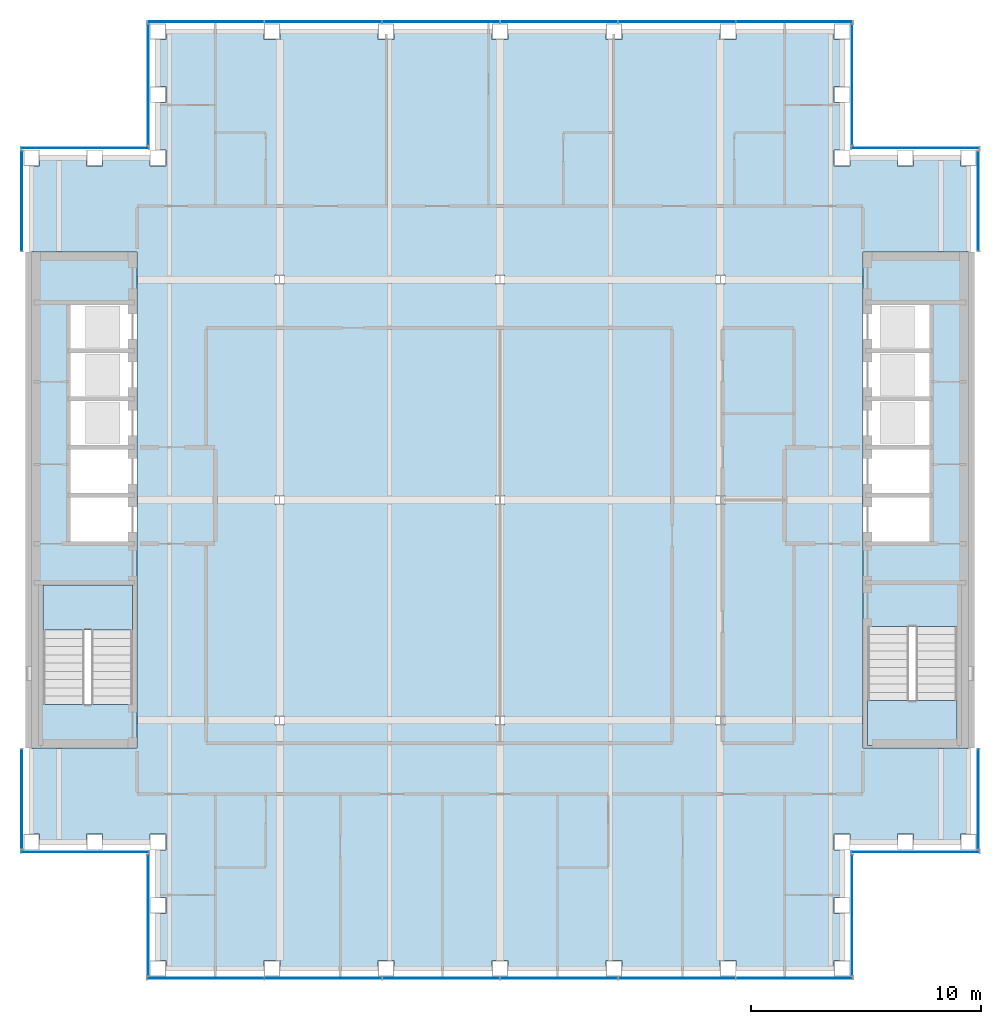
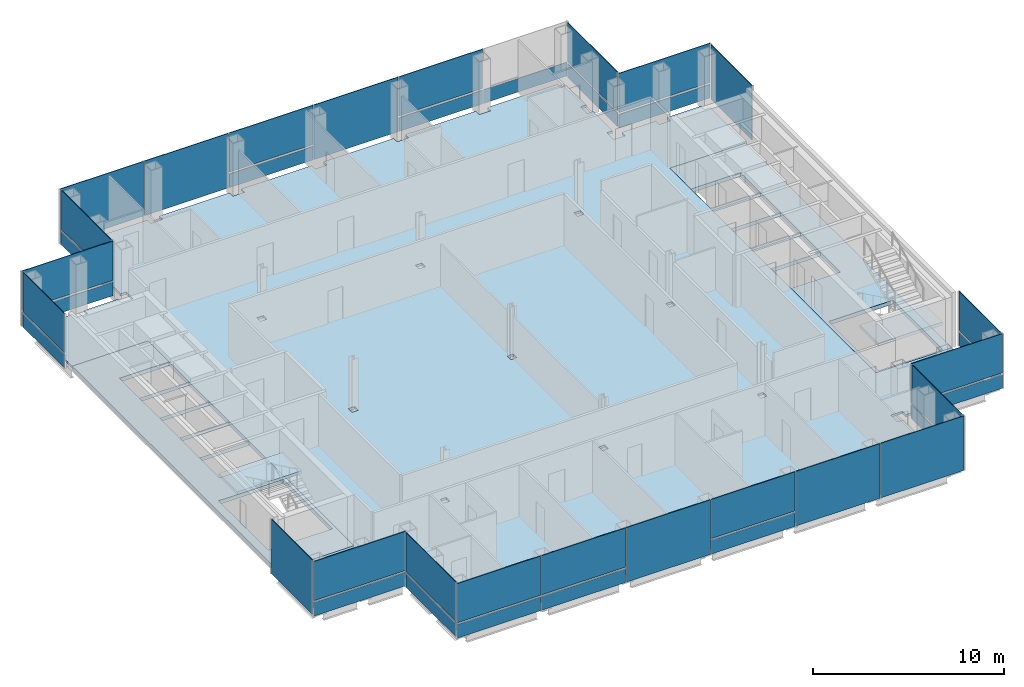
# One storey, part 9 of 15: 39 plates, 5 slabs, 16 elements without a shape of their own.
"""IFC4 building model written with IfcOpenShell, lengths in metres."""

from ifc_helpers import new_model, si_unit, direction, frame, origin, origin_2d, place, context, subcontext, project, spatial, polyline, rectangle, outline, extrude, material, layer, layer_set, type_object, element, aggregate, save


model = new_model("IFC4")

# Units and contexts
model_context = context("Model", 3, precision=1e-05, world=origin(), true_north=direction((0.0, 1.0)))
body_context = subcontext(model_context, "Body", "Model", "MODEL_VIEW")
ifc_project = project(units=[si_unit("LENGTHUNIT", "METRE"), si_unit("AREAUNIT", "SQUARE_METRE"), si_unit("VOLUMEUNIT", "CUBIC_METRE"), si_unit("PLANEANGLEUNIT", "RADIAN"), si_unit("MASSUNIT", "GRAM", prefix="KILO")], contexts=[model_context])

# Site, building, storey
site_placement = place(None, origin())
site = spatial("IfcSite", under=ifc_project, at=site_placement, CompositionType="ELEMENT")
building_placement = place(site_placement, origin())
building = spatial("IfcBuilding", under=site, at=building_placement, Name="Cobrizo Arcos Hotel Tower", CompositionType="ELEMENT")
storey_placement = place(building_placement, frame((0.0, 0.0, 194.5)))
storey = spatial("IfcBuildingStorey", under=building, at=storey_placement, Name="L50", CompositionType="ELEMENT", Elevation=194.5)

# Curtain wall, plates
ifc_material_1 = material(Name="Aluminium 6063-T6 anodised bronze", Category="aluminium")
curtain_wall_type = type_object("IfcCurtainWallType", Name="CW-A guest facade", PredefinedType="NOTDEFINED", material=ifc_material_1)
curtain_wall_1_placement = place(storey_placement, origin())
curtain_wall_1 = element("IfcCurtainWall", 1, at=curtain_wall_1_placement, inside=storey, type_object=curtain_wall_type, Name="CW-A L50 S face", PredefinedType="NOTDEFINED")
ifc_material_2 = material(Name="Glass clear laminated low-e", Category="glass")
ifc_layer_1 = layer(ifc_material_2, 0.0400390625)
ifc_layer_set_1 = layer_set([ifc_layer_1], Name="CW-A glass panel")
plate_type_1 = type_object("IfcPlateType", Name="CW-A glass panel", PredefinedType="CURTAIN_PANEL", material=ifc_layer_set_1)
plate_1_placement = place(storey_placement, frame((-12.818359375, -20.824951171875, 0.990234375), z_axis=(0.0, 0.0, 1.0), x_axis=(1.0, 0.0, 0.0)))
plate_1 = element("IfcPlate", 2, at=plate_1_placement, type_object=plate_type_1, Name="CW-A glass panel 1720", PredefinedType="CURTAIN_PANEL", context=body_context, shape_type="SweptSolid", body=[
    extrude(rectangle(XDim=5.043212890625, YDim=0.0400390625, at=origin_2d()), origin(), (0.0, 0.0, 1.0), 2.510009765625),
])
plate_2_placement = place(storey_placement, frame((-7.699951171875, -20.824951171875, 0.990234375), z_axis=(0.0, 0.0, 1.0), x_axis=(1.0, 0.0, 0.0)))
plate_2 = element("IfcPlate", 3, at=plate_2_placement, type_object=plate_type_1, Name="CW-A glass panel 1721", PredefinedType="CURTAIN_PANEL", context=body_context, shape_type="SweptSolid", body=[
    extrude(rectangle(XDim=5.0732421875, YDim=0.0400390625, at=origin_2d()), origin(), (0.0, 0.0, 1.0), 2.510009765625),
])
plate_3_placement = place(storey_placement, frame((2.566650390625, -20.824951171875, 0.990234375), z_axis=(0.0, 0.0, 1.0), x_axis=(1.0, 0.0, 0.0)))
plate_3 = element("IfcPlate", 4, at=plate_3_placement, type_object=plate_type_1, Name="CW-A glass panel 1723", PredefinedType="CURTAIN_PANEL", context=body_context, shape_type="SweptSolid", body=[
    extrude(rectangle(XDim=5.0732421875, YDim=0.0400390625, at=origin_2d()), origin(), (0.0, 0.0, 1.0), 2.510009765625),
])

# Curtain wall, plate
curtain_wall_2_placement = place(storey_placement, origin())
curtain_wall_2 = element("IfcCurtainWall", 5, at=curtain_wall_2_placement, inside=storey, type_object=curtain_wall_type, Name="CW-A L50 E face", PredefinedType="NOTDEFINED")
plate_4_placement = place(storey_placement, frame((15.324951171875, -18.074951171875, 0.990234375), z_axis=(0.0, 0.0, 1.0), x_axis=(0.0, 1.0, 0.0)))
plate_4 = element("IfcPlate", 6, at=plate_4_placement, type_object=plate_type_1, Name="CW-A glass panel 1726", PredefinedType="CURTAIN_PANEL", context=body_context, shape_type="SweptSolid", body=[
    extrude(rectangle(XDim=5.22998046875, YDim=0.0400390625, at=origin_2d()), origin(), (0.0, 0.0, 1.0), 2.510009765625),
])

curtain_wall_3_placement = place(storey_placement, origin())
curtain_wall_3 = element("IfcCurtainWall", 7, at=curtain_wall_3_placement, inside=storey, type_object=curtain_wall_type, Name="CW-A L50 S face", PredefinedType="NOTDEFINED")
plate_5_placement = place(storey_placement, frame((18.074951171875, -15.324951171875, 0.990234375), z_axis=(0.0, 0.0, 1.0), x_axis=(1.0, 0.0, 0.0)))
plate_5 = element("IfcPlate", 8, at=plate_5_placement, type_object=plate_type_1, Name="CW-A glass panel 1727", PredefinedType="CURTAIN_PANEL", context=body_context, shape_type="SweptSolid", body=[
    extrude(rectangle(XDim=5.530029296875, YDim=0.0400390625, at=origin_2d()), origin(), (0.0, 0.0, 1.0), 2.510009765625),
])

curtain_wall_4_placement = place(storey_placement, origin())
curtain_wall_4 = element("IfcCurtainWall", 9, at=curtain_wall_4_placement, inside=storey, type_object=curtain_wall_type, Name="CW-A L50 E face", PredefinedType="NOTDEFINED")
plate_6_placement = place(storey_placement, frame((20.824951171875, -13.02490234375, 0.990234375), z_axis=(0.0, 0.0, 1.0), x_axis=(0.0, 1.0, 0.0)))
plate_6 = element("IfcPlate", 10, at=plate_6_placement, type_object=plate_type_1, Name="CW-A glass panel 1728", PredefinedType="CURTAIN_PANEL", context=body_context, shape_type="SweptSolid", body=[
    extrude(rectangle(XDim=4.330078125, YDim=0.0400390625, at=origin_2d()), origin(), (0.0, 0.0, 1.0), 2.510009765625),
])

curtain_wall_5_placement = place(storey_placement, origin())
curtain_wall_5 = element("IfcCurtainWall", 11, at=curtain_wall_5_placement, inside=storey, type_object=curtain_wall_type, Name="CW-A L50 N face", PredefinedType="NOTDEFINED")
plate_7_placement = place(storey_placement, frame((18.074951171875, 15.324951171875, 0.990234375), z_axis=(0.0, 0.0, 1.0), x_axis=(-1.0, 0.0, 0.0)))
plate_7 = element("IfcPlate", 12, at=plate_7_placement, type_object=plate_type_1, Name="CW-A glass panel 1730", PredefinedType="CURTAIN_PANEL", context=body_context, shape_type="SweptSolid", body=[
    extrude(rectangle(XDim=5.530029296875, YDim=0.0400390625, at=origin_2d()), origin(), (0.0, 0.0, 1.0), 2.510009765625),
])

curtain_wall_6_placement = place(storey_placement, origin())
curtain_wall_6 = element("IfcCurtainWall", 13, at=curtain_wall_6_placement, inside=storey, type_object=curtain_wall_type, Name="CW-A L50 E face", PredefinedType="NOTDEFINED")
plate_8_placement = place(storey_placement, frame((15.324951171875, 18.074951171875, 0.990234375), z_axis=(0.0, 0.0, 1.0), x_axis=(0.0, 1.0, 0.0)))
plate_8 = element("IfcPlate", 14, at=plate_8_placement, type_object=plate_type_1, Name="CW-A glass panel 1731", PredefinedType="CURTAIN_PANEL", context=body_context, shape_type="SweptSolid", body=[
    extrude(rectangle(XDim=5.22998046875, YDim=0.0400390625, at=origin_2d()), origin(), (0.0, 0.0, 1.0), 2.510009765625),
])

# Curtain wall, plates
curtain_wall_7_placement = place(storey_placement, origin())
curtain_wall_7 = element("IfcCurtainWall", 15, at=curtain_wall_7_placement, inside=storey, type_object=curtain_wall_type, Name="CW-A L50 N face", PredefinedType="NOTDEFINED")
plate_9_placement = place(storey_placement, frame((7.699951171875, 20.824951171875, 0.990234375), z_axis=(0.0, 0.0, 1.0), x_axis=(-1.0, 0.0, 0.0)))
plate_9 = element("IfcPlate", 16, at=plate_9_placement, type_object=plate_type_1, Name="CW-A glass panel 1733", PredefinedType="CURTAIN_PANEL", context=body_context, shape_type="SweptSolid", body=[
    extrude(rectangle(XDim=5.0732421875, YDim=0.0400390625, at=origin_2d()), origin(), (0.0, 0.0, 1.0), 2.510009765625),
])
plate_10_placement = place(storey_placement, frame((-2.566650390625, 20.824951171875, 0.990234375), z_axis=(0.0, 0.0, 1.0), x_axis=(-1.0, 0.0, 0.0)))
plate_10 = element("IfcPlate", 17, at=plate_10_placement, type_object=plate_type_1, Name="CW-A glass panel 1735", PredefinedType="CURTAIN_PANEL", context=body_context, shape_type="SweptSolid", body=[
    extrude(rectangle(XDim=5.0732421875, YDim=0.0400390625, at=origin_2d()), origin(), (0.0, 0.0, 1.0), 2.510009765625),
])

# Curtain wall, plate
curtain_wall_8_placement = place(storey_placement, origin())
curtain_wall_8 = element("IfcCurtainWall", 18, at=curtain_wall_8_placement, inside=storey, type_object=curtain_wall_type, Name="CW-A L50 W face", PredefinedType="NOTDEFINED")
plate_11_placement = place(storey_placement, frame((-15.324951171875, 18.074951171875, 0.990234375), z_axis=(0.0, 0.0, 1.0), x_axis=(0.0, -1.0, 0.0)))
plate_11 = element("IfcPlate", 19, at=plate_11_placement, type_object=plate_type_1, Name="CW-A glass panel 1738", PredefinedType="CURTAIN_PANEL", context=body_context, shape_type="SweptSolid", body=[
    extrude(rectangle(XDim=5.22998046875, YDim=0.0400390625, at=origin_2d()), origin(), (0.0, 0.0, 1.0), 2.510009765625),
])

curtain_wall_9_placement = place(storey_placement, origin())
curtain_wall_9 = element("IfcCurtainWall", 20, at=curtain_wall_9_placement, inside=storey, type_object=curtain_wall_type, Name="CW-A L50 N face", PredefinedType="NOTDEFINED")
plate_12_placement = place(storey_placement, frame((-18.074951171875, 15.324951171875, 0.990234375), z_axis=(0.0, 0.0, 1.0), x_axis=(-1.0, 0.0, 0.0)))
plate_12 = element("IfcPlate", 21, at=plate_12_placement, type_object=plate_type_1, Name="CW-A glass panel 1739", PredefinedType="CURTAIN_PANEL", context=body_context, shape_type="SweptSolid", body=[
    extrude(rectangle(XDim=5.530029296875, YDim=0.0400390625, at=origin_2d()), origin(), (0.0, 0.0, 1.0), 2.510009765625),
])

curtain_wall_10_placement = place(storey_placement, origin())
curtain_wall_10 = element("IfcCurtainWall", 22, at=curtain_wall_10_placement, inside=storey, type_object=curtain_wall_type, Name="CW-A L50 W face", PredefinedType="NOTDEFINED")
plate_13_placement = place(storey_placement, frame((-20.824951171875, 13.02490234375, 0.990234375), z_axis=(0.0, 0.0, 1.0), x_axis=(0.0, -1.0, 0.0)))
plate_13 = element("IfcPlate", 23, at=plate_13_placement, type_object=plate_type_1, Name="CW-A glass panel 1740", PredefinedType="CURTAIN_PANEL", context=body_context, shape_type="SweptSolid", body=[
    extrude(rectangle(XDim=4.330078125, YDim=0.0400390625, at=origin_2d()), origin(), (0.0, 0.0, 1.0), 2.510009765625),
])

curtain_wall_11_placement = place(storey_placement, origin())
curtain_wall_11 = element("IfcCurtainWall", 24, at=curtain_wall_11_placement, inside=storey, type_object=curtain_wall_type, Name="CW-A L50 S face", PredefinedType="NOTDEFINED")
plate_14_placement = place(storey_placement, frame((-18.074951171875, -15.324951171875, 0.990234375), z_axis=(0.0, 0.0, 1.0), x_axis=(1.0, 0.0, 0.0)))
plate_14 = element("IfcPlate", 25, at=plate_14_placement, type_object=plate_type_1, Name="CW-A glass panel 1742", PredefinedType="CURTAIN_PANEL", context=body_context, shape_type="SweptSolid", body=[
    extrude(rectangle(XDim=5.530029296875, YDim=0.0400390625, at=origin_2d()), origin(), (0.0, 0.0, 1.0), 2.510009765625),
])

curtain_wall_12_placement = place(storey_placement, origin())
curtain_wall_12 = element("IfcCurtainWall", 26, at=curtain_wall_12_placement, inside=storey, type_object=curtain_wall_type, Name="CW-A L50 W face", PredefinedType="NOTDEFINED")
plate_15_placement = place(storey_placement, frame((-15.324951171875, -18.074951171875, 0.990234375), z_axis=(0.0, 0.0, 1.0), x_axis=(0.0, -1.0, 0.0)))
plate_15 = element("IfcPlate", 27, at=plate_15_placement, type_object=plate_type_1, Name="CW-A glass panel 1743", PredefinedType="CURTAIN_PANEL", context=body_context, shape_type="SweptSolid", body=[
    extrude(rectangle(XDim=5.22998046875, YDim=0.0400390625, at=origin_2d()), origin(), (0.0, 0.0, 1.0), 2.510009765625),
])

# Plate
ifc_material_3 = material(Name="Aluminium composite panel pale metal", Category="aluminium")
ifc_layer_2 = layer(ifc_material_3, 0.0400390625)
ifc_layer_set_2 = layer_set([ifc_layer_2], Name="CW-A spandrel panel")
plate_type_2 = type_object("IfcPlateType", Name="CW-A spandrel panel", PredefinedType="CURTAIN_PANEL", material=ifc_layer_set_2)
plate_16_placement = place(storey_placement, frame((-12.818359375, -20.824951171875, 0.0), z_axis=(0.0, 0.0, 1.0), x_axis=(1.0, 0.0, 0.0)))
plate_16 = element("IfcPlate", 28, at=plate_16_placement, type_object=plate_type_2, Name="CW-A spandrel panel 1720", PredefinedType="CURTAIN_PANEL", context=body_context, shape_type="SweptSolid", body=[
    extrude(rectangle(XDim=5.043212890625, YDim=0.0400390625, at=origin_2d()), origin(), (0.0, 0.0, 1.0), 0.8701171875),
])

plate_17_placement = place(storey_placement, frame((-7.699951171875, -20.824951171875, 0.0), z_axis=(0.0, 0.0, 1.0), x_axis=(1.0, 0.0, 0.0)))
plate_17 = element("IfcPlate", 29, at=plate_17_placement, type_object=plate_type_2, Name="CW-A spandrel panel 1721", PredefinedType="CURTAIN_PANEL", context=body_context, shape_type="SweptSolid", body=[
    extrude(rectangle(XDim=5.0732421875, YDim=0.0400390625, at=origin_2d()), origin(), (0.0, 0.0, 1.0), 0.8701171875),
])

plate_18_placement = place(storey_placement, frame((-2.566650390625, -20.824951171875, 0.0), z_axis=(0.0, 0.0, 1.0), x_axis=(1.0, 0.0, 0.0)))
plate_18 = element("IfcPlate", 30, at=plate_18_placement, type_object=plate_type_2, Name="CW-A spandrel panel 1722", PredefinedType="CURTAIN_PANEL", context=body_context, shape_type="SweptSolid", body=[
    extrude(rectangle(XDim=5.0732421875, YDim=0.0400390625, at=origin_2d()), origin(), (0.0, 0.0, 1.0), 3.5),
])

plate_19_placement = place(storey_placement, frame((2.566650390625, -20.824951171875, 0.0), z_axis=(0.0, 0.0, 1.0), x_axis=(1.0, 0.0, 0.0)))
plate_19 = element("IfcPlate", 31, at=plate_19_placement, type_object=plate_type_2, Name="CW-A spandrel panel 1723", PredefinedType="CURTAIN_PANEL", context=body_context, shape_type="SweptSolid", body=[
    extrude(rectangle(XDim=5.0732421875, YDim=0.0400390625, at=origin_2d()), origin(), (0.0, 0.0, 1.0), 0.8701171875),
])

plate_20_placement = place(storey_placement, frame((7.699951171875, -20.824951171875, 0.0), z_axis=(0.0, 0.0, 1.0), x_axis=(1.0, 0.0, 0.0)))
plate_20 = element("IfcPlate", 32, at=plate_20_placement, type_object=plate_type_2, Name="CW-A spandrel panel 1724", PredefinedType="CURTAIN_PANEL", context=body_context, shape_type="SweptSolid", body=[
    extrude(rectangle(XDim=5.0732421875, YDim=0.0400390625, at=origin_2d()), origin(), (0.0, 0.0, 1.0), 3.5),
])

plate_21_placement = place(storey_placement, frame((12.818359375, -20.824951171875, 0.0), z_axis=(0.0, 0.0, 1.0), x_axis=(1.0, 0.0, 0.0)))
plate_21 = element("IfcPlate", 33, at=plate_21_placement, type_object=plate_type_2, Name="CW-A spandrel panel 1725", PredefinedType="CURTAIN_PANEL", context=body_context, shape_type="SweptSolid", body=[
    extrude(rectangle(XDim=5.043212890625, YDim=0.0400390625, at=origin_2d()), origin(), (0.0, 0.0, 1.0), 3.5),
])

aggregate(curtain_wall_1, [plate_16, plate_1, plate_17, plate_2, plate_18, plate_19, plate_3, plate_20, plate_21])

plate_22_placement = place(storey_placement, frame((15.324951171875, -18.074951171875, 0.0), z_axis=(0.0, 0.0, 1.0), x_axis=(0.0, 1.0, 0.0)))
plate_22 = element("IfcPlate", 34, at=plate_22_placement, type_object=plate_type_2, Name="CW-A spandrel panel 1726", PredefinedType="CURTAIN_PANEL", context=body_context, shape_type="SweptSolid", body=[
    extrude(rectangle(XDim=5.22998046875, YDim=0.0400390625, at=origin_2d()), origin(), (0.0, 0.0, 1.0), 0.8701171875),
])

aggregate(curtain_wall_2, [plate_22, plate_4])

plate_23_placement = place(storey_placement, frame((18.074951171875, -15.324951171875, 0.0), z_axis=(0.0, 0.0, 1.0), x_axis=(1.0, 0.0, 0.0)))
plate_23 = element("IfcPlate", 35, at=plate_23_placement, type_object=plate_type_2, Name="CW-A spandrel panel 1727", PredefinedType="CURTAIN_PANEL", context=body_context, shape_type="SweptSolid", body=[
    extrude(rectangle(XDim=5.530029296875, YDim=0.0400390625, at=origin_2d()), origin(), (0.0, 0.0, 1.0), 0.8701171875),
])

aggregate(curtain_wall_3, [plate_23, plate_5])

plate_24_placement = place(storey_placement, frame((20.824951171875, -13.02490234375, 0.0), z_axis=(0.0, 0.0, 1.0), x_axis=(0.0, 1.0, 0.0)))
plate_24 = element("IfcPlate", 36, at=plate_24_placement, type_object=plate_type_2, Name="CW-A spandrel panel 1728", PredefinedType="CURTAIN_PANEL", context=body_context, shape_type="SweptSolid", body=[
    extrude(rectangle(XDim=4.330078125, YDim=0.0400390625, at=origin_2d()), origin(), (0.0, 0.0, 1.0), 0.8701171875),
])

aggregate(curtain_wall_4, [plate_24, plate_6])

# Curtain wall, plate
curtain_wall_13_placement = place(storey_placement, origin())
curtain_wall_13 = element("IfcCurtainWall", 37, at=curtain_wall_13_placement, inside=storey, type_object=curtain_wall_type, Name="CW-A L50 E face", PredefinedType="NOTDEFINED")
plate_25_placement = place(storey_placement, frame((20.824951171875, 13.02490234375, 0.0), z_axis=(0.0, 0.0, 1.0), x_axis=(0.0, 1.0, 0.0)))
plate_25 = element("IfcPlate", 38, at=plate_25_placement, type_object=plate_type_2, Name="CW-A spandrel panel 1729", PredefinedType="CURTAIN_PANEL", context=body_context, shape_type="SweptSolid", body=[
    extrude(rectangle(XDim=4.330078125, YDim=0.0400390625, at=origin_2d()), origin(), (0.0, 0.0, 1.0), 3.5),
])
aggregate(curtain_wall_13, [plate_25])

# Plate
plate_26_placement = place(storey_placement, frame((18.074951171875, 15.324951171875, 0.0), z_axis=(0.0, 0.0, 1.0), x_axis=(-1.0, 0.0, 0.0)))
plate_26 = element("IfcPlate", 39, at=plate_26_placement, type_object=plate_type_2, Name="CW-A spandrel panel 1730", PredefinedType="CURTAIN_PANEL", context=body_context, shape_type="SweptSolid", body=[
    extrude(rectangle(XDim=5.530029296875, YDim=0.0400390625, at=origin_2d()), origin(), (0.0, 0.0, 1.0), 0.8701171875),
])

aggregate(curtain_wall_5, [plate_26, plate_7])

plate_27_placement = place(storey_placement, frame((15.324951171875, 18.074951171875, 0.0), z_axis=(0.0, 0.0, 1.0), x_axis=(0.0, 1.0, 0.0)))
plate_27 = element("IfcPlate", 40, at=plate_27_placement, type_object=plate_type_2, Name="CW-A spandrel panel 1731", PredefinedType="CURTAIN_PANEL", context=body_context, shape_type="SweptSolid", body=[
    extrude(rectangle(XDim=5.22998046875, YDim=0.0400390625, at=origin_2d()), origin(), (0.0, 0.0, 1.0), 0.8701171875),
])

aggregate(curtain_wall_6, [plate_27, plate_8])

plate_28_placement = place(storey_placement, frame((12.818359375, 20.824951171875, 0.0), z_axis=(0.0, 0.0, 1.0), x_axis=(-1.0, 0.0, 0.0)))
plate_28 = element("IfcPlate", 41, at=plate_28_placement, type_object=plate_type_2, Name="CW-A spandrel panel 1732", PredefinedType="CURTAIN_PANEL", context=body_context, shape_type="SweptSolid", body=[
    extrude(rectangle(XDim=5.043212890625, YDim=0.0400390625, at=origin_2d()), origin(), (0.0, 0.0, 1.0), 0.8701171875),
])

plate_29_placement = place(storey_placement, frame((7.699951171875, 20.824951171875, 0.0), z_axis=(0.0, 0.0, 1.0), x_axis=(-1.0, 0.0, 0.0)))
plate_29 = element("IfcPlate", 42, at=plate_29_placement, type_object=plate_type_2, Name="CW-A spandrel panel 1733", PredefinedType="CURTAIN_PANEL", context=body_context, shape_type="SweptSolid", body=[
    extrude(rectangle(XDim=5.0732421875, YDim=0.0400390625, at=origin_2d()), origin(), (0.0, 0.0, 1.0), 0.8701171875),
])

plate_30_placement = place(storey_placement, frame((2.566650390625, 20.824951171875, 0.0), z_axis=(0.0, 0.0, 1.0), x_axis=(-1.0, 0.0, 0.0)))
plate_30 = element("IfcPlate", 43, at=plate_30_placement, type_object=plate_type_2, Name="CW-A spandrel panel 1734", PredefinedType="CURTAIN_PANEL", context=body_context, shape_type="SweptSolid", body=[
    extrude(rectangle(XDim=5.0732421875, YDim=0.0400390625, at=origin_2d()), origin(), (0.0, 0.0, 1.0), 3.5),
])

plate_31_placement = place(storey_placement, frame((-2.566650390625, 20.824951171875, 0.0), z_axis=(0.0, 0.0, 1.0), x_axis=(-1.0, 0.0, 0.0)))
plate_31 = element("IfcPlate", 44, at=plate_31_placement, type_object=plate_type_2, Name="CW-A spandrel panel 1735", PredefinedType="CURTAIN_PANEL", context=body_context, shape_type="SweptSolid", body=[
    extrude(rectangle(XDim=5.0732421875, YDim=0.0400390625, at=origin_2d()), origin(), (0.0, 0.0, 1.0), 0.8701171875),
])

plate_32_placement = place(storey_placement, frame((-7.699951171875, 20.824951171875, 0.0), z_axis=(0.0, 0.0, 1.0), x_axis=(-1.0, 0.0, 0.0)))
plate_32 = element("IfcPlate", 45, at=plate_32_placement, type_object=plate_type_2, Name="CW-A spandrel panel 1736", PredefinedType="CURTAIN_PANEL", context=body_context, shape_type="SweptSolid", body=[
    extrude(rectangle(XDim=5.0732421875, YDim=0.0400390625, at=origin_2d()), origin(), (0.0, 0.0, 1.0), 3.5),
])

plate_33_placement = place(storey_placement, frame((-12.818359375, 20.824951171875, 0.0), z_axis=(0.0, 0.0, 1.0), x_axis=(-1.0, 0.0, 0.0)))
plate_33 = element("IfcPlate", 46, at=plate_33_placement, type_object=plate_type_2, Name="CW-A spandrel panel 1737", PredefinedType="CURTAIN_PANEL", context=body_context, shape_type="SweptSolid", body=[
    extrude(rectangle(XDim=5.043212890625, YDim=0.0400390625, at=origin_2d()), origin(), (0.0, 0.0, 1.0), 3.5),
])

aggregate(curtain_wall_7, [plate_28, plate_29, plate_9, plate_30, plate_31, plate_10, plate_32, plate_33])

plate_34_placement = place(storey_placement, frame((-15.324951171875, 18.074951171875, 0.0), z_axis=(0.0, 0.0, 1.0), x_axis=(0.0, -1.0, 0.0)))
plate_34 = element("IfcPlate", 47, at=plate_34_placement, type_object=plate_type_2, Name="CW-A spandrel panel 1738", PredefinedType="CURTAIN_PANEL", context=body_context, shape_type="SweptSolid", body=[
    extrude(rectangle(XDim=5.22998046875, YDim=0.0400390625, at=origin_2d()), origin(), (0.0, 0.0, 1.0), 0.8701171875),
])

aggregate(curtain_wall_8, [plate_34, plate_11])

plate_35_placement = place(storey_placement, frame((-18.074951171875, 15.324951171875, 0.0), z_axis=(0.0, 0.0, 1.0), x_axis=(-1.0, 0.0, 0.0)))
plate_35 = element("IfcPlate", 48, at=plate_35_placement, type_object=plate_type_2, Name="CW-A spandrel panel 1739", PredefinedType="CURTAIN_PANEL", context=body_context, shape_type="SweptSolid", body=[
    extrude(rectangle(XDim=5.530029296875, YDim=0.0400390625, at=origin_2d()), origin(), (0.0, 0.0, 1.0), 0.8701171875),
])

aggregate(curtain_wall_9, [plate_35, plate_12])

plate_36_placement = place(storey_placement, frame((-20.824951171875, 13.02490234375, 0.0), z_axis=(0.0, 0.0, 1.0), x_axis=(0.0, -1.0, 0.0)))
plate_36 = element("IfcPlate", 49, at=plate_36_placement, type_object=plate_type_2, Name="CW-A spandrel panel 1740", PredefinedType="CURTAIN_PANEL", context=body_context, shape_type="SweptSolid", body=[
    extrude(rectangle(XDim=4.330078125, YDim=0.0400390625, at=origin_2d()), origin(), (0.0, 0.0, 1.0), 0.8701171875),
])

aggregate(curtain_wall_10, [plate_36, plate_13])

# Curtain wall, plate
curtain_wall_14_placement = place(storey_placement, origin())
curtain_wall_14 = element("IfcCurtainWall", 50, at=curtain_wall_14_placement, inside=storey, type_object=curtain_wall_type, Name="CW-A L50 W face", PredefinedType="NOTDEFINED")
plate_37_placement = place(storey_placement, frame((-20.824951171875, -13.02490234375, 0.0), z_axis=(0.0, 0.0, 1.0), x_axis=(0.0, -1.0, 0.0)))
plate_37 = element("IfcPlate", 51, at=plate_37_placement, type_object=plate_type_2, Name="CW-A spandrel panel 1741", PredefinedType="CURTAIN_PANEL", context=body_context, shape_type="SweptSolid", body=[
    extrude(rectangle(XDim=4.330078125, YDim=0.0400390625, at=origin_2d()), origin(), (0.0, 0.0, 1.0), 3.5),
])
aggregate(curtain_wall_14, [plate_37])

# Plate
plate_38_placement = place(storey_placement, frame((-18.074951171875, -15.324951171875, 0.0), z_axis=(0.0, 0.0, 1.0), x_axis=(1.0, 0.0, 0.0)))
plate_38 = element("IfcPlate", 52, at=plate_38_placement, type_object=plate_type_2, Name="CW-A spandrel panel 1742", PredefinedType="CURTAIN_PANEL", context=body_context, shape_type="SweptSolid", body=[
    extrude(rectangle(XDim=5.530029296875, YDim=0.0400390625, at=origin_2d()), origin(), (0.0, 0.0, 1.0), 0.8701171875),
])

aggregate(curtain_wall_11, [plate_38, plate_14])

plate_39_placement = place(storey_placement, frame((-15.324951171875, -18.074951171875, 0.0), z_axis=(0.0, 0.0, 1.0), x_axis=(0.0, -1.0, 0.0)))
plate_39 = element("IfcPlate", 53, at=plate_39_placement, type_object=plate_type_2, Name="CW-A spandrel panel 1743", PredefinedType="CURTAIN_PANEL", context=body_context, shape_type="SweptSolid", body=[
    extrude(rectangle(XDim=5.22998046875, YDim=0.0400390625, at=origin_2d()), origin(), (0.0, 0.0, 1.0), 0.8701171875),
])

aggregate(curtain_wall_12, [plate_39, plate_15])

# Slabs
ifc_material_4 = material(Name="Concrete f'c 35 MPa", Category="concrete")
ifc_layer_3 = layer(ifc_material_4, 0.14990234375)
ifc_layer_set_3 = layer_set([ifc_layer_3], Name="Composite floor slab 150 f'c 35")
slab_type_1 = type_object("IfcSlabType", Name="Composite floor slab 150 f'c 35", PredefinedType="FLOOR", material=ifc_layer_set_3)
slab_1_placement = place(storey_placement, frame((0.0, 0.0, -0.14990234375)))
element("IfcSlab", 54, at=slab_1_placement, inside=storey, type_object=slab_type_1, Name="Floor slab S5, L50, no. 01", PredefinedType="FLOOR", context=body_context, shape_type="SweptSolid", body=[
    extrude(outline(polyline([(-14.550048828125, -20.39990234375), (-14.550048828125, -20.050048828125), (-14.89990234375, -20.050048828125), (-14.89990234375, -18.0), (-14.550048828125, -18.0), (-14.550048828125, -17.300048828125), (-14.89990234375, -17.300048828125), (-14.89990234375, -15.25), (-14.550048828125, -15.25), (-14.550048828125, -14.550048828125), (-15.25, -14.550048828125), (-15.25, -14.89990234375), (-17.300048828125, -14.89990234375), (-17.300048828125, -14.550048828125), (-18.0, -14.550048828125), (-18.0, -14.89990234375), (-20.050048828125, -14.89990234375), (-20.050048828125, -14.550048828125), (-20.39990234375, -14.550048828125), (-20.39990234375, -10.800048828125), (-15.800048828125, -10.800048828125), (-15.800048828125, 10.800048828125), (-20.39990234375, 10.800048828125), (-20.39990234375, 14.550048828125), (-20.050048828125, 14.550048828125), (-20.050048828125, 14.89990234375), (-18.0, 14.89990234375), (-18.0, 14.550048828125), (-17.300048828125, 14.550048828125), (-17.300048828125, 14.89990234375), (-15.25, 14.89990234375), (-15.25, 14.550048828125), (-14.550048828125, 14.550048828125), (-14.550048828125, 15.25), (-14.89990234375, 15.25), (-14.89990234375, 17.300048828125), (-14.550048828125, 17.300048828125), (-14.550048828125, 18.0), (-14.89990234375, 18.0), (-14.89990234375, 20.050048828125), (-14.550048828125, 20.050048828125), (-14.550048828125, 20.39990234375), (-10.282958984375, 20.39990234375), (-10.282958984375, 20.050048828125), (-9.5830078125, 20.050048828125), (-9.5830078125, 20.39990234375), (-5.31689453125, 20.39990234375), (-5.31689453125, 20.050048828125), (-4.616943359375, 20.050048828125), (-4.616943359375, 20.39990234375), (-0.35009765625, 20.39990234375), (-0.35009765625, 20.050048828125), (0.35009765625, 20.050048828125), (0.35009765625, 20.39990234375), (4.616943359375, 20.39990234375), (4.616943359375, 20.050048828125), (5.31689453125, 20.050048828125), (5.31689453125, 20.39990234375), (9.5830078125, 20.39990234375), (9.5830078125, 20.050048828125), (10.282958984375, 20.050048828125), (10.282958984375, 20.39990234375), (14.550048828125, 20.39990234375), (14.550048828125, 20.050048828125), (14.89990234375, 20.050048828125), (14.89990234375, 18.0), (14.550048828125, 18.0), (14.550048828125, 17.300048828125), (14.89990234375, 17.300048828125), (14.89990234375, 15.25), (14.550048828125, 15.25), (14.550048828125, 14.550048828125), (15.25, 14.550048828125), (15.25, 14.89990234375), (17.300048828125, 14.89990234375), (17.300048828125, 14.550048828125), (18.0, 14.550048828125), (18.0, 14.89990234375), (20.050048828125, 14.89990234375), (20.050048828125, 14.550048828125), (20.39990234375, 14.550048828125), (20.39990234375, 10.800048828125), (15.800048828125, 10.800048828125), (15.800048828125, -10.800048828125), (20.39990234375, -10.800048828125), (20.39990234375, -14.550048828125), (20.050048828125, -14.550048828125), (20.050048828125, -14.89990234375), (18.0, -14.89990234375), (18.0, -14.550048828125), (17.300048828125, -14.550048828125), (17.300048828125, -14.89990234375), (15.25, -14.89990234375), (15.25, -14.550048828125), (14.550048828125, -14.550048828125), (14.550048828125, -15.25), (14.89990234375, -15.25), (14.89990234375, -17.300048828125), (14.550048828125, -17.300048828125), (14.550048828125, -18.0), (14.89990234375, -18.0), (14.89990234375, -20.050048828125), (14.550048828125, -20.050048828125), (14.550048828125, -20.39990234375), (10.282958984375, -20.39990234375), (10.282958984375, -20.050048828125), (9.5830078125, -20.050048828125), (9.5830078125, -20.39990234375), (5.31689453125, -20.39990234375), (5.31689453125, -20.050048828125), (4.616943359375, -20.050048828125), (4.616943359375, -20.39990234375), (0.35009765625, -20.39990234375), (0.35009765625, -20.050048828125), (-0.35009765625, -20.050048828125), (-0.35009765625, -20.39990234375), (-4.616943359375, -20.39990234375), (-4.616943359375, -20.050048828125), (-5.31689453125, -20.050048828125), (-5.31689453125, -20.39990234375), (-9.5830078125, -20.39990234375), (-9.5830078125, -20.050048828125), (-10.282958984375, -20.050048828125), (-10.282958984375, -20.39990234375), (-14.550048828125, -20.39990234375)]), holes=[polyline([(-9.413330078125, -9.78662109375), (-9.413330078125, -9.413330078125), (-9.78662109375, -9.413330078125), (-9.78662109375, -9.78662109375), (-9.413330078125, -9.78662109375)]), polyline([(0.186767578125, -9.78662109375), (0.186767578125, -9.413330078125), (-0.186767578125, -9.413330078125), (-0.186767578125, -9.78662109375), (0.186767578125, -9.78662109375)]), polyline([(9.413330078125, -9.78662109375), (9.78662109375, -9.78662109375), (9.78662109375, -9.413330078125), (9.413330078125, -9.413330078125), (9.413330078125, -9.78662109375)]), polyline([(-9.78662109375, -0.186767578125), (-9.413330078125, -0.186767578125), (-9.413330078125, 0.186767578125), (-9.78662109375, 0.186767578125), (-9.78662109375, -0.186767578125)]), polyline([(0.186767578125, -0.186767578125), (0.186767578125, 0.186767578125), (-0.186767578125, 0.186767578125), (-0.186767578125, -0.186767578125), (0.186767578125, -0.186767578125)]), polyline([(9.78662109375, -0.186767578125), (9.78662109375, 0.186767578125), (9.413330078125, 0.186767578125), (9.413330078125, -0.186767578125), (9.78662109375, -0.186767578125)]), polyline([(-9.413330078125, 9.413330078125), (-9.413330078125, 9.78662109375), (-9.78662109375, 9.78662109375), (-9.78662109375, 9.413330078125), (-9.413330078125, 9.413330078125)]), polyline([(-0.186767578125, 9.413330078125), (0.186767578125, 9.413330078125), (0.186767578125, 9.78662109375), (-0.186767578125, 9.78662109375), (-0.186767578125, 9.413330078125)]), polyline([(9.413330078125, 9.413330078125), (9.78662109375, 9.413330078125), (9.78662109375, 9.78662109375), (9.413330078125, 9.78662109375), (9.413330078125, 9.413330078125)])]), origin(), (0.0, 0.0, 1.0), 0.14990234375),
])
ifc_material_5 = material(Name="Concrete f'c 40 MPa", Category="concrete")
ifc_layer_4 = layer(ifc_material_5, 0.25)
ifc_layer_set_4 = layer_set([ifc_layer_4], Name="RC core floor slab 250 f'c 40")
slab_type_2 = type_object("IfcSlabType", Name="RC core floor slab 250 f'c 40", PredefinedType="FLOOR", material=ifc_layer_set_4)
slab_2_placement = place(storey_placement, frame((0.0, 0.0, -0.25)))
element("IfcSlab", 55, at=slab_2_placement, inside=storey, type_object=slab_type_2, Name="Core floor slab CS7, east core, L50", PredefinedType="FLOOR", context=body_context, shape_type="SweptSolid", body=[
    extrude(outline(polyline([(15.800048828125, 10.800048828125), (20.39990234375, 10.800048828125), (20.39990234375, -10.800048828125), (15.800048828125, -10.800048828125), (15.800048828125, 10.800048828125)]), holes=[polyline([(19.89794921875, -10.697998046875), (19.89794921875, -5.501953125), (16.001953125, -5.501953125), (16.001953125, -10.697998046875), (19.89794921875, -10.697998046875)]), polyline([(15.802001953125, 0.197998046875), (15.802001953125, -1.89794921875), (18.798095703125, -1.89794921875), (18.798095703125, 0.197998046875), (15.802001953125, 0.197998046875)]), polyline([(15.802001953125, 2.298095703125), (15.802001953125, 0.201904296875), (18.798095703125, 0.201904296875), (18.798095703125, 2.298095703125), (15.802001953125, 2.298095703125)]), polyline([(15.802001953125, 4.39794921875), (15.802001953125, 2.302001953125), (18.798095703125, 2.302001953125), (18.798095703125, 4.39794921875), (15.802001953125, 4.39794921875)]), polyline([(18.798095703125, 6.498046875), (15.802001953125, 6.498046875), (15.802001953125, 4.402099609375), (18.798095703125, 4.402099609375), (18.798095703125, 6.498046875)]), polyline([(18.798095703125, 8.597900390625), (15.802001953125, 8.597900390625), (15.802001953125, 6.501953125), (18.798095703125, 6.501953125), (18.798095703125, 8.597900390625)])]), origin(), (0.0, 0.0, 1.0), 0.25),
])
slab_3_placement = place(storey_placement, frame((0.0, 0.0, -0.25)))
element("IfcSlab", 56, at=slab_3_placement, inside=storey, type_object=slab_type_2, Name="Core floor slab CS7, west core, L50", PredefinedType="FLOOR", context=body_context, shape_type="SweptSolid", body=[
    extrude(outline(polyline([(-20.39990234375, 10.800048828125), (-15.800048828125, 10.800048828125), (-15.800048828125, -10.800048828125), (-20.39990234375, -10.800048828125), (-20.39990234375, 10.800048828125)]), holes=[polyline([(-19.89794921875, -3.701904296875), (-19.89794921875, -8.89794921875), (-16.001953125, -8.89794921875), (-16.001953125, -3.701904296875), (-19.89794921875, -3.701904296875)]), polyline([(-18.798095703125, 0.197998046875), (-18.798095703125, -1.89794921875), (-15.802001953125, -1.89794921875), (-15.802001953125, 0.197998046875), (-18.798095703125, 0.197998046875)]), polyline([(-18.798095703125, 2.298095703125), (-18.798095703125, 0.201904296875), (-15.802001953125, 0.201904296875), (-15.802001953125, 2.298095703125), (-18.798095703125, 2.298095703125)]), polyline([(-18.798095703125, 4.39794921875), (-18.798095703125, 2.302001953125), (-15.802001953125, 2.302001953125), (-15.802001953125, 4.39794921875), (-18.798095703125, 4.39794921875)]), polyline([(-15.802001953125, 6.498046875), (-18.798095703125, 6.498046875), (-18.798095703125, 4.402099609375), (-15.802001953125, 4.402099609375), (-15.802001953125, 6.498046875)]), polyline([(-15.802001953125, 8.597900390625), (-18.798095703125, 8.597900390625), (-18.798095703125, 6.501953125), (-15.802001953125, 6.501953125), (-15.802001953125, 8.597900390625)])]), origin(), (0.0, 0.0, 1.0), 0.25),
])

# Stair, slab
stair_type = type_object("IfcStairType", Name="Exit stair", PredefinedType="HALF_TURN_STAIR", material=ifc_material_5)
stair_1_placement = place(storey_placement, origin())
stair_1 = element("IfcStair", 57, at=stair_1_placement, inside=storey, type_object=stair_type, Name="L50 Exit stair ST-W", PredefinedType="HALF_TURN_STAIR")
ifc_layer_5 = layer(ifc_material_5, 0.199951171875)
ifc_layer_set_5 = layer_set([ifc_layer_5], Name="Stair landing")
slab_type_3 = type_object("IfcSlabType", Name="Stair landing", PredefinedType="LANDING", material=ifc_layer_set_5)
slab_4_placement = place(storey_placement, frame((0.0, 0.0, 1.550048828125)))
slab_4 = element("IfcSlab", 58, at=slab_4_placement, type_object=slab_type_3, Name="ST-W landing 1", PredefinedType="LANDING", context=body_context, shape_type="SweptSolid", body=[
    extrude(outline(polyline([(-16.0, -5.659912109375), (-16.0, -3.699951171875), (-19.89990234375, -3.699951171875), (-19.89990234375, -5.659912109375), (-16.0, -5.659912109375)])), origin(), (0.0, 0.0, 1.0), 0.199951171875),
])
aggregate(stair_1, [slab_4])

stair_2_placement = place(storey_placement, origin())
stair_2 = element("IfcStair", 59, at=stair_2_placement, inside=storey, type_object=stair_type, Name="L50 Exit stair ST-E", PredefinedType="HALF_TURN_STAIR")
slab_5_placement = place(storey_placement, frame((0.0, 0.0, 1.550048828125)))
slab_5 = element("IfcSlab", 60, at=slab_5_placement, type_object=slab_type_3, Name="ST-E landing 1", PredefinedType="LANDING", context=body_context, shape_type="SweptSolid", body=[
    extrude(outline(polyline([(16.0, -8.739990234375), (16.0, -10.699951171875), (19.89990234375, -10.699951171875), (19.89990234375, -8.739990234375), (16.0, -8.739990234375)])), origin(), (0.0, 0.0, 1.0), 0.199951171875),
])
aggregate(stair_2, [slab_5])

save(model, "model.ifc")
